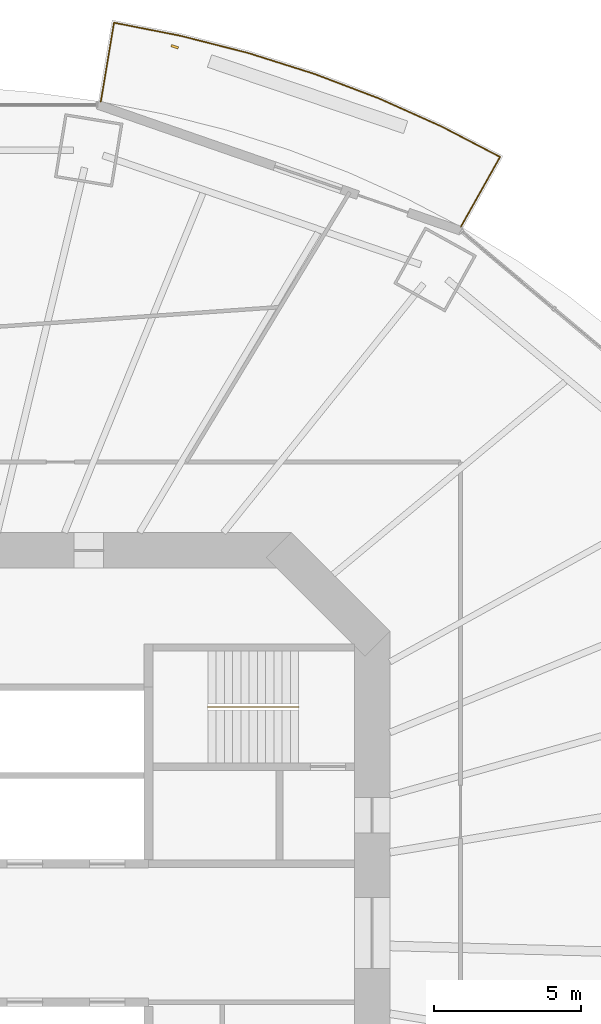
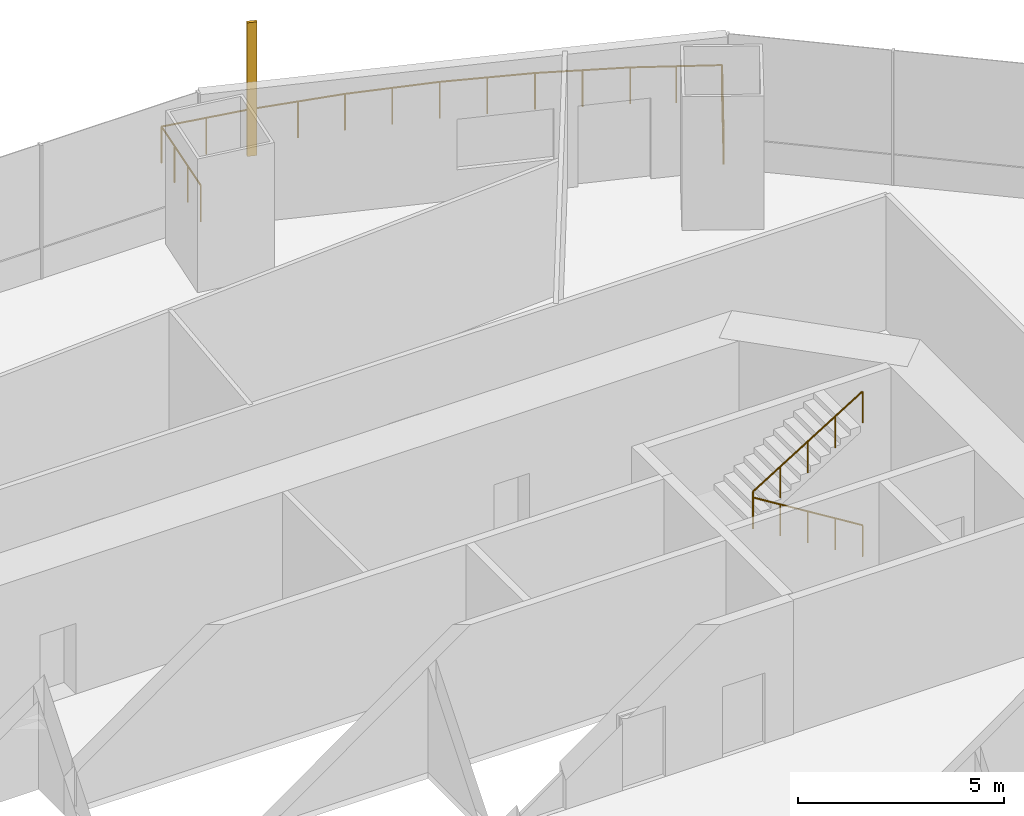
# One storey, part 20 of 22: 2 railings, 1 shading device.
"""IFC4 building model written with IfcOpenShell, lengths in metres."""

from ifc_helpers import new_model, si_unit, direction, frame, origin, origin_2d, place, context, subcontext, project, spatial, rectangle, circle, extrude, material, material_profile, profile_set, type_object, element, save


model = new_model("IFC4")

# Units and contexts
model_context = context("Model", 3, precision=1e-05, world=origin(), true_north=direction((0.0, 1.0)))
body_context = subcontext(model_context, "Body", "Model", "MODEL_VIEW")
ifc_project = project(units=[si_unit("LENGTHUNIT", "METRE"), si_unit("AREAUNIT", "SQUARE_METRE"), si_unit("VOLUMEUNIT", "CUBIC_METRE"), si_unit("PLANEANGLEUNIT", "RADIAN"), si_unit("MASSUNIT", "GRAM", prefix="KILO")], contexts=[model_context])

# Site, building, storey
site_placement = place(None, origin())
site = spatial("IfcSite", under=ifc_project, at=site_placement, CompositionType="ELEMENT")
building_placement = place(site_placement, origin())
building = spatial("IfcBuilding", under=site, at=building_placement, Name="Marenthal Gate Tower", CompositionType="ELEMENT")
storey_placement = place(building_placement, frame((0.0, 0.0, 107.699951171875)))
storey = spatial("IfcBuildingStorey", under=building, at=storey_placement, Name="L22", CompositionType="ELEMENT", Elevation=107.699951171875)

# Railings
ifc_material_1 = material(Name="Stainless steel", Category="steel")
railing_type_1 = type_object("IfcRailingType", Name="Balcony guard 1100", PredefinedType="GUARDRAIL", material=ifc_material_1)
railing_1_placement = place(storey_placement, frame((6.779541015625, 28.241455078125, 0.0)))
element("IfcRailing", 1, at=railing_1_placement, inside=storey, type_object=railing_type_1, Name="Balcony guard L22 bay 3", PredefinedType="GUARDRAIL", context=body_context, shape_type="SweptSolid", body=[
    extrude(circle(Radius=0.02392578125, at=origin_2d()), frame((0.0, 0.0, 1.076171875), z_axis=(0.164686797849, 0.986236088047, -0.014718602097), x_axis=(-0.986342933143, 0.164704639396, 0.0)), (0.0, 0.0, 1.0), 2.72021484375),
    extrude(circle(Radius=0.02392578125, at=origin_2d()), frame((0.447998046875, 2.682861328125, 1.0361328125), z_axis=(0.981215853429, -0.192913060677, 0.0), x_axis=(0.192913060677, 0.981215853429, 0.0)), (0.0, 0.0, 1.0), 2.302001953125),
    extrude(circle(Radius=0.02392578125, at=origin_2d()), frame((2.706787109375, 2.23876953125, 1.0361328125), z_axis=(0.969104776695, -0.246649410675, 0.0), x_axis=(0.246649410675, 0.969104776695, 0.0)), (0.0, 0.0, 1.0), 2.37255859375),
    extrude(circle(Radius=0.02392578125, at=origin_2d()), frame((5.006103515625, 1.653564453125, 1.0361328125), z_axis=(0.953609232067, -0.30104722639, 0.0), x_axis=(0.30104722639, 0.953609232067, 0.0)), (0.0, 0.0, 1.0), 2.36083984375),
    extrude(circle(Radius=0.02392578125, at=origin_2d()), frame((7.25732421875, 0.94287109375, 1.0361328125), z_axis=(0.934764240257, -0.35526865206, 0.0), x_axis=(0.35526865206, 0.934764240257, 0.0)), (0.0, 0.0, 1.0), 2.347412109375),
    extrude(circle(Radius=0.02392578125, at=origin_2d()), frame((9.45166015625, 0.10888671875, 1.0361328125), z_axis=(0.912494502903, -0.409088966083, 0.0), x_axis=(0.409088966083, 0.912494502903, 0.0)), (0.0, 0.0, 1.0), 2.332275390625),
    extrude(circle(Radius=0.02392578125, at=origin_2d()), frame((11.579833984375, -0.84521484375, 1.0361328125), z_axis=(0.887125590865, -0.461528098855, 0.0), x_axis=(0.461528098855, 0.887125590865, 0.0)), (0.0, 0.0, 1.0), 2.235595703125),
    extrude(circle(Radius=0.02392578125, at=origin_2d()), frame((13.56298828125, -1.876953125, 1.0361328125), z_axis=(-0.489197979897, -0.87204857286, 0.014718119373), x_axis=(0.872143041114, -0.489250974283, 0.0)), (0.0, 0.0, 1.0), 2.720458984375),
    extrude(circle(Radius=0.02099609375, at=origin_2d()), origin(), (0.0, 0.0, 1.0), 1.052001953125),
    extrude(circle(Radius=0.02099609375, at=origin_2d()), frame((0.1494140625, 0.894287109375, -0.013427734375)), (0.0, 0.0, 1.0), 1.052001953125),
    extrude(circle(Radius=0.02099609375, at=origin_2d()), frame((0.298583984375, 1.78857421875, -0.026611328125)), (0.0, 0.0, 1.0), 1.052001953125),
    extrude(circle(Radius=0.02099609375, at=origin_2d()), frame((0.447998046875, 2.682861328125, -0.0400390625)), (0.0, 0.0, 1.0), 1.052001953125),
    extrude(circle(Radius=0.02099609375, at=origin_2d()), frame((1.577392578125, 2.4609375, -0.0400390625)), (0.0, 0.0, 1.0), 1.052001953125),
    extrude(circle(Radius=0.02099609375, at=origin_2d()), frame((2.706787109375, 2.23876953125, -0.0400390625)), (0.0, 0.0, 1.0), 1.052001953125),
    extrude(circle(Radius=0.02099609375, at=origin_2d()), frame((3.8564453125, 1.9462890625, -0.0400390625)), (0.0, 0.0, 1.0), 1.052001953125),
    extrude(circle(Radius=0.02099609375, at=origin_2d()), frame((5.006103515625, 1.653564453125, -0.0400390625)), (0.0, 0.0, 1.0), 1.052001953125),
    extrude(circle(Radius=0.02099609375, at=origin_2d()), frame((6.1318359375, 1.29833984375, -0.0400390625)), (0.0, 0.0, 1.0), 1.052001953125),
    extrude(circle(Radius=0.02099609375, at=origin_2d()), frame((7.25732421875, 0.94287109375, -0.0400390625)), (0.0, 0.0, 1.0), 1.052001953125),
    extrude(circle(Radius=0.02099609375, at=origin_2d()), frame((8.3544921875, 0.52587890625, -0.0400390625)), (0.0, 0.0, 1.0), 1.052001953125),
    extrude(circle(Radius=0.02099609375, at=origin_2d()), frame((9.45166015625, 0.10888671875, -0.0400390625)), (0.0, 0.0, 1.0), 1.052001953125),
    extrude(circle(Radius=0.02099609375, at=origin_2d()), frame((10.515625, -0.3681640625, -0.0400390625)), (0.0, 0.0, 1.0), 1.052001953125),
    extrude(circle(Radius=0.02099609375, at=origin_2d()), frame((11.579833984375, -0.84521484375, -0.0400390625)), (0.0, 0.0, 1.0), 1.052001953125),
    extrude(circle(Radius=0.02099609375, at=origin_2d()), frame((12.5712890625, -1.361083984375, -0.0400390625)), (0.0, 0.0, 1.0), 1.052001953125),
    extrude(circle(Radius=0.02099609375, at=origin_2d()), frame((13.56298828125, -1.876953125, -0.0400390625)), (0.0, 0.0, 1.0), 1.052001953125),
    extrude(circle(Radius=0.02099609375, at=origin_2d()), frame((13.119384765625, -2.667724609375, -0.026611328125)), (0.0, 0.0, 1.0), 1.052001953125),
    extrude(circle(Radius=0.02099609375, at=origin_2d()), frame((12.67578125, -3.45849609375, -0.013427734375)), (0.0, 0.0, 1.0), 1.052001953125),
    extrude(circle(Radius=0.02099609375, at=origin_2d()), frame((12.232177734375, -4.249267578125, 0.0)), (0.0, 0.0, 1.0), 1.052001953125),
])
ifc_material_2 = material(Name="Stainless steel", Category="steel")
railing_type_2 = type_object("IfcRailingType", Name="Stair handrail", PredefinedType="HANDRAIL", material=ifc_material_2)
railing_2_placement = place(storey_placement, frame((13.5, 7.675048828125, 0.1728515625)))
element("IfcRailing", 2, at=railing_2_placement, inside=storey, type_object=railing_type_2, Name="Handrail ST3", PredefinedType="HANDRAIL", context=body_context, shape_type="SweptSolid", body=[
    extrude(circle(Radius=0.0224609375, at=origin_2d()), frame((0.0, 0.0, 0.927490234375), z_axis=(-0.850835241893, 0.0, 0.525432575268), x_axis=(0.0, -1.0, 0.0)), (0.0, 0.0, 1.0), 3.6201171875),
    extrude(circle(Radius=0.0224609375, at=origin_2d()), frame((-3.080078125, 0.0, 2.82958984375), z_axis=(0.0, 0.0, 1.0), x_axis=(1.0, 0.0, 0.0)), (0.0, 0.0, 1.0), 0.173095703125),
    extrude(circle(Radius=0.0224609375, at=origin_2d()), frame((-3.080078125, 0.0, 3.002685546875), z_axis=(0.850835241893, 0.0, 0.525432575268), x_axis=(0.0, 1.0, 0.0)), (0.0, 0.0, 1.0), 3.6201171875),
    extrude(circle(Radius=0.02001953125, at=origin_2d()), origin(), (0.0, 0.0, 1.0), 0.905029296875),
    extrude(circle(Radius=0.02001953125, at=origin_2d()), frame((-0.77001953125, 0.0, 0.4755859375)), (0.0, 0.0, 1.0), 0.905029296875),
    extrude(circle(Radius=0.02001953125, at=origin_2d()), frame((-1.5400390625, 0.0, 0.951171875)), (0.0, 0.0, 1.0), 0.905029296875),
    extrude(circle(Radius=0.02001953125, at=origin_2d()), frame((-2.31005859375, 0.0, 1.426513671875)), (0.0, 0.0, 1.0), 0.905029296875),
    extrude(circle(Radius=0.02001953125, at=origin_2d()), frame((-3.080078125, 0.0, 1.902099609375)), (0.0, 0.0, 1.0), 0.905029296875),
    extrude(circle(Radius=0.02001953125, at=origin_2d()), frame((-3.080078125, 0.0, 2.0751953125)), (0.0, 0.0, 1.0), 0.905029296875),
    extrude(circle(Radius=0.02001953125, at=origin_2d()), frame((-2.31005859375, 0.0, 2.55078125)), (0.0, 0.0, 1.0), 0.905029296875),
    extrude(circle(Radius=0.02001953125, at=origin_2d()), frame((-1.5400390625, 0.0, 3.0263671875)), (0.0, 0.0, 1.0), 0.905029296875),
    extrude(circle(Radius=0.02001953125, at=origin_2d()), frame((-0.77001953125, 0.0, 3.501708984375)), (0.0, 0.0, 1.0), 0.905029296875),
    extrude(circle(Radius=0.02001953125, at=origin_2d()), frame((0.0, 0.0, 3.977294921875)), (0.0, 0.0, 1.0), 0.905029296875),
])

# Shading device
ifc_material_3 = material(Name="Terracotta", Category="masonry")
ifc_material_profile = material_profile(ifc_material_3, rectangle(XDim=0.25, YDim=0.080078125, at=origin_2d()), Name="Terracotta baguette 250x80")
ifc_profile_set = profile_set([ifc_material_profile], Name="Terracotta")
shading_device_type = type_object("IfcShadingDeviceType", Name="Terracotta BAGUETTE SCREEN 250x80", PredefinedType="USERDEFINED", material=ifc_profile_set)
shading_device_placement = place(storey_placement, frame((9.29296875, 30.107666015625, -0.0400390625), z_axis=(0.0, 0.0, 1.0), x_axis=(-0.94459732274, 0.328231469959, 0.0)))
element("IfcShadingDevice", 3, at=shading_device_placement, inside=storey, type_object=shading_device_type, Name="Terracotta BAGUETTE L22 bay 3R", ObjectType="BAGUETTE SCREEN", PredefinedType="USERDEFINED", context=body_context, shape_type="SweptSolid", body=[
    extrude(rectangle(XDim=0.25, YDim=0.080078125, at=origin_2d()), origin(), (0.0, 0.0, 1.0), 3.969970703125),
])

save(model, "model.ifc")
